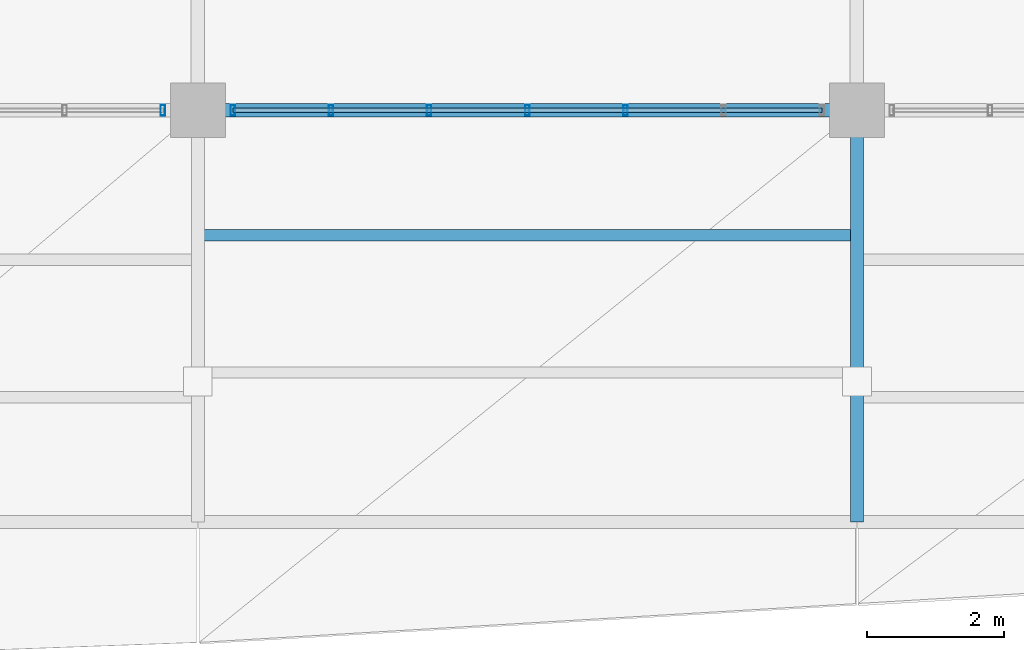
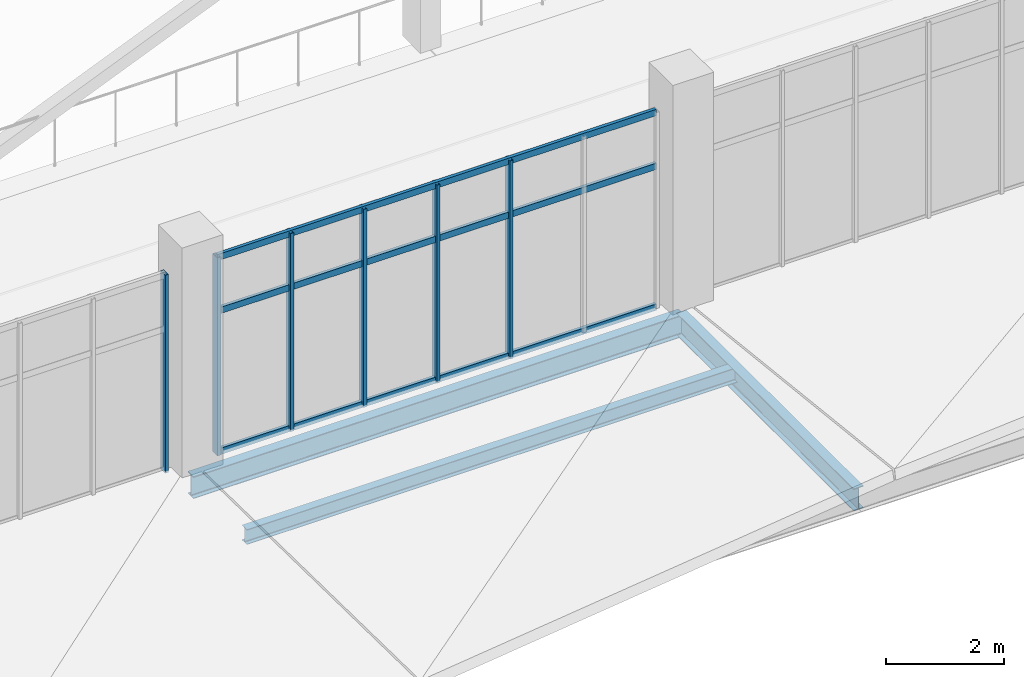
# One storey, part 49 of 157: 9 members, 3 beams, 2 elements without a shape of their own.
"""IFC4 building model written with IfcOpenShell, lengths in metres."""

from ifc_helpers import new_model, si_unit, direction, frame, origin, origin_2d, place, context, subcontext, project, spatial, hollow_rectangle, i_section, extrude, material, layer, layer_set, material_profile, profile_set, type_object, element, aggregate, save


model = new_model("IFC4")

# Units and contexts
model_context = context("Model", 3, precision=1e-05, world=origin(), true_north=direction((0.0, 1.0)))
body_context = subcontext(model_context, "Body", "Model", "MODEL_VIEW")
ifc_project = project(units=[si_unit("LENGTHUNIT", "METRE"), si_unit("AREAUNIT", "SQUARE_METRE"), si_unit("VOLUMEUNIT", "CUBIC_METRE"), si_unit("PLANEANGLEUNIT", "RADIAN"), si_unit("MASSUNIT", "GRAM", prefix="KILO")], contexts=[model_context])

# Site, building, storey
site_placement = place(None, origin())
site = spatial("IfcSite", under=ifc_project, at=site_placement, CompositionType="ELEMENT")
building_placement = place(site_placement, origin())
building = spatial("IfcBuilding", under=site, at=building_placement, Name="Chalmorin Arch Market", CompositionType="ELEMENT")
storey_placement = place(building_placement, frame((0.0, 0.0, 4.800048828125)))
storey = spatial("IfcBuildingStorey", under=building, at=storey_placement, Name="L01", CompositionType="ELEMENT", Elevation=4.800048828125)

# Curtain wall, member
ifc_material_1 = material(Name="Aluminium 6063-T6", Category="aluminium")
ifc_layer = layer(ifc_material_1, 0.159912109375)
ifc_layer_set = layer_set([ifc_layer], Name="Aluminium 6063-T6")
curtain_wall_type = type_object("IfcCurtainWallType", Name="MarketClerestoryCurtainWall-CW1-8580x4100", PredefinedType="NOTDEFINED", material=ifc_layer_set)
curtain_wall_1_placement = place(storey_placement, origin())
curtain_wall_1 = element("IfcCurtainWall", 1, at=curtain_wall_1_placement, inside=storey, type_object=curtain_wall_type, Name="CW-01-007", PredefinedType="NOTDEFINED")
ifc_material_profile_1 = material_profile(ifc_material_1, hollow_rectangle(XDim=0.06494140625, YDim=0.159912109375, WallThickness=0.00390625, at=origin_2d()), Name="ALU65X160X4")
ifc_profile_set_1 = profile_set([ifc_material_profile_1], Name="Aluminium 6063-T6")
member_type_1 = type_object("IfcMemberType", Name="CurtainWallMullion-65x160", PredefinedType="MULLION", material=ifc_profile_set_1)
member_1_placement = place(storey_placement, frame((76.2900390625, 6.0, 0.0), z_axis=(0.0, 0.0, 1.0), x_axis=(1.0, 0.0, 0.0)))
member_1 = element("IfcMember", 2, at=member_1_placement, type_object=member_type_1, Name="ML-007-07", PredefinedType="MULLION", context=body_context, shape_type="SweptSolid", body=[
    extrude(hollow_rectangle(XDim=0.06494140625, YDim=0.159912109375, WallThickness=0.00390625, at=origin_2d()), origin(), (0.0, 0.0, 1.0), 4.095947265625),
])
aggregate(curtain_wall_1, [member_1])

# Curtain wall, members
curtain_wall_2_placement = place(storey_placement, origin())
curtain_wall_2 = element("IfcCurtainWall", 3, at=curtain_wall_2_placement, inside=storey, type_object=curtain_wall_type, Name="CW-01-011", PredefinedType="NOTDEFINED")
member_2_placement = place(storey_placement, frame((77.31005859375, 6.0, 0.0), z_axis=(0.0, 0.0, 1.0), x_axis=(1.0, 0.0, 0.0)))
member_2 = element("IfcMember", 4, at=member_2_placement, type_object=member_type_1, Name="ML-011-01", PredefinedType="MULLION", context=body_context, shape_type="SweptSolid", body=[
    extrude(hollow_rectangle(XDim=0.06494140625, YDim=0.159912109375, WallThickness=0.00390625, at=origin_2d()), origin(), (0.0, 0.0, 1.0), 4.095947265625),
])
member_3_placement = place(storey_placement, frame((78.739990234375, 6.0, 0.0), z_axis=(0.0, 0.0, 1.0), x_axis=(1.0, 0.0, 0.0)))
member_3 = element("IfcMember", 5, at=member_3_placement, type_object=member_type_1, Name="ML-011-02", PredefinedType="MULLION", context=body_context, shape_type="SweptSolid", body=[
    extrude(hollow_rectangle(XDim=0.06494140625, YDim=0.159912109375, WallThickness=0.00390625, at=origin_2d()), origin(), (0.0, 0.0, 1.0), 4.095947265625),
])
member_4_placement = place(storey_placement, frame((80.169921875, 6.0, 0.0), z_axis=(0.0, 0.0, 1.0), x_axis=(1.0, 0.0, 0.0)))
member_4 = element("IfcMember", 6, at=member_4_placement, type_object=member_type_1, Name="ML-011-03", PredefinedType="MULLION", context=body_context, shape_type="SweptSolid", body=[
    extrude(hollow_rectangle(XDim=0.06494140625, YDim=0.159912109375, WallThickness=0.00390625, at=origin_2d()), origin(), (0.0, 0.0, 1.0), 4.095947265625),
])
member_5_placement = place(storey_placement, frame((81.60009765625, 6.0, 0.0), z_axis=(0.0, 0.0, 1.0), x_axis=(1.0, 0.0, 0.0)))
member_5 = element("IfcMember", 7, at=member_5_placement, type_object=member_type_1, Name="ML-011-04", PredefinedType="MULLION", context=body_context, shape_type="SweptSolid", body=[
    extrude(hollow_rectangle(XDim=0.06494140625, YDim=0.159912109375, WallThickness=0.00390625, at=origin_2d()), origin(), (0.0, 0.0, 1.0), 4.095947265625),
])
member_6_placement = place(storey_placement, frame((83.030029296875, 6.0, 0.0), z_axis=(0.0, 0.0, 1.0), x_axis=(1.0, 0.0, 0.0)))
member_6 = element("IfcMember", 8, at=member_6_placement, type_object=member_type_1, Name="ML-011-05", PredefinedType="MULLION", context=body_context, shape_type="SweptSolid", body=[
    extrude(hollow_rectangle(XDim=0.06494140625, YDim=0.159912109375, WallThickness=0.00390625, at=origin_2d()), origin(), (0.0, 0.0, 1.0), 4.095947265625),
])
ifc_material_profile_2 = material_profile(ifc_material_1, hollow_rectangle(XDim=0.06494140625, YDim=0.1298828125, WallThickness=0.00390625, at=origin_2d()), Name="ALU65X130X4")
ifc_profile_set_2 = profile_set([ifc_material_profile_2], Name="Aluminium 6063-T6")
member_type_2 = type_object("IfcMemberType", Name="CurtainWallTransom-65x130", PredefinedType="USERDEFINED", material=ifc_profile_set_2)
member_7_placement = place(storey_placement, frame((77.31005859375, 6.0, 0.034912109375), z_axis=(1.0, 0.0, 0.0), x_axis=(0.0, 1.0, 0.0)))
member_7 = element("IfcMember", 9, at=member_7_placement, type_object=member_type_2, Name="TR-011-01", ObjectType="TRANSOM", PredefinedType="USERDEFINED", context=body_context, shape_type="SweptSolid", body=[
    extrude(hollow_rectangle(XDim=0.06494140625, YDim=0.1298828125, WallThickness=0.00390625, at=origin_2d()), origin(), (0.0, 0.0, 1.0), 8.579833984375),
])
member_8_placement = place(storey_placement, frame((77.31005859375, 6.0, 2.948974609375), z_axis=(1.0, 0.0, 0.0), x_axis=(0.0, 1.0, 0.0)))
member_8 = element("IfcMember", 10, at=member_8_placement, type_object=member_type_2, Name="TR-011-02", ObjectType="TRANSOM", PredefinedType="USERDEFINED", context=body_context, shape_type="SweptSolid", body=[
    extrude(hollow_rectangle(XDim=0.06494140625, YDim=0.1298828125, WallThickness=0.00390625, at=origin_2d()), origin(), (0.0, 0.0, 1.0), 8.579833984375),
])
member_9_placement = place(storey_placement, frame((77.31005859375, 6.0, 4.06103515625), z_axis=(1.0, 0.0, 0.0), x_axis=(0.0, 1.0, 0.0)))
member_9 = element("IfcMember", 11, at=member_9_placement, type_object=member_type_2, Name="TR-011-03", ObjectType="TRANSOM", PredefinedType="USERDEFINED", context=body_context, shape_type="SweptSolid", body=[
    extrude(hollow_rectangle(XDim=0.06494140625, YDim=0.1298828125, WallThickness=0.00390625, at=origin_2d()), origin(), (0.0, 0.0, 1.0), 8.579833984375),
])
aggregate(curtain_wall_2, [member_2, member_3, member_4, member_5, member_6, member_7, member_8, member_9])

# Beams
ifc_material_2 = material(Name="Steel A992 Grade 50", Category="steel")
ifc_material_profile_3 = material_profile(ifc_material_2, i_section(OverallWidth=0.19091796875, OverallDepth=0.45703125, WebThickness=0.009033203125, FlangeThickness=0.014404296875, FilletRadius=0.02001953125, at=origin_2d()), Name="W18X50")
ifc_profile_set_3 = profile_set([ifc_material_profile_3], Name="Steel A992 Grade 50")
beam_type_1 = type_object("IfcBeamType", Name="FloorSteelBeam-W18X50", PredefinedType="BEAM", material=ifc_profile_set_3)
beam_1_placement = place(storey_placement, frame((86.39990234375, 0.0, -0.48046875), z_axis=(0.0, 1.0, 0.0), x_axis=(-1.0, 0.0, 0.0)))
element("IfcBeam", 12, at=beam_1_placement, inside=storey, type_object=beam_type_1, Name="BM-W18B-1043", PredefinedType="BEAM", context=body_context, shape_type="SweptSolid", body=[
    extrude(i_section(OverallWidth=0.19091796875, OverallDepth=0.45703125, WebThickness=0.009033203125, FlangeThickness=0.014404296875, FilletRadius=0.02001953125, at=origin_2d()), origin(), (0.0, 0.0, 1.0), 6.0),
])
ifc_material_profile_4 = material_profile(ifc_material_2, i_section(OverallWidth=0.19091796875, OverallDepth=0.45703125, WebThickness=0.009033203125, FlangeThickness=0.014404296875, FilletRadius=0.02001953125, at=origin_2d()), Name="W18X50")
ifc_profile_set_4 = profile_set([ifc_material_profile_4], Name="Steel A992 Grade 50")
beam_type_2 = type_object("IfcBeamType", Name="PerimeterSpandrelBeam-W18X50", PredefinedType="SPANDREL", material=ifc_profile_set_4)
beam_2_placement = place(storey_placement, frame((76.800048828125, 6.0, -0.48046875), z_axis=(1.0, 0.0, 0.0), x_axis=(0.0, 1.0, 0.0)))
element("IfcBeam", 13, at=beam_2_placement, inside=storey, type_object=beam_type_2, Name="SP-W18-0610", PredefinedType="SPANDREL", context=body_context, shape_type="SweptSolid", body=[
    extrude(i_section(OverallWidth=0.19091796875, OverallDepth=0.45703125, WebThickness=0.009033203125, FlangeThickness=0.014404296875, FilletRadius=0.02001953125, at=origin_2d()), origin(), (0.0, 0.0, 1.0), 9.599853515625),
])
ifc_material_profile_5 = material_profile(ifc_material_2, i_section(OverallWidth=0.1650390625, OverallDepth=0.31005859375, WebThickness=0.005859375, FlangeThickness=0.009765625, FilletRadius=0.014892578125, at=origin_2d()), Name="W12X26")
ifc_profile_set_5 = profile_set([ifc_material_profile_5], Name="Steel A992 Grade 50")
beam_type_3 = type_object("IfcBeamType", Name="SecondaryRoofJoist-W12X26", PredefinedType="JOIST", material=ifc_profile_set_5)
beam_3_placement = place(storey_placement, frame((76.800048828125, 4.179931640625, -0.406982421875), z_axis=(1.0, 0.0, 0.0), x_axis=(0.0, 1.0, 0.0)))
element("IfcBeam", 14, at=beam_3_placement, inside=storey, type_object=beam_type_3, Name="BJ-W12-1069", PredefinedType="JOIST", context=body_context, shape_type="SweptSolid", body=[
    extrude(i_section(OverallWidth=0.1650390625, OverallDepth=0.31005859375, WebThickness=0.005859375, FlangeThickness=0.009765625, FilletRadius=0.014892578125, at=origin_2d()), origin(), (0.0, 0.0, 1.0), 9.599853515625),
])

save(model, "model.ifc")
